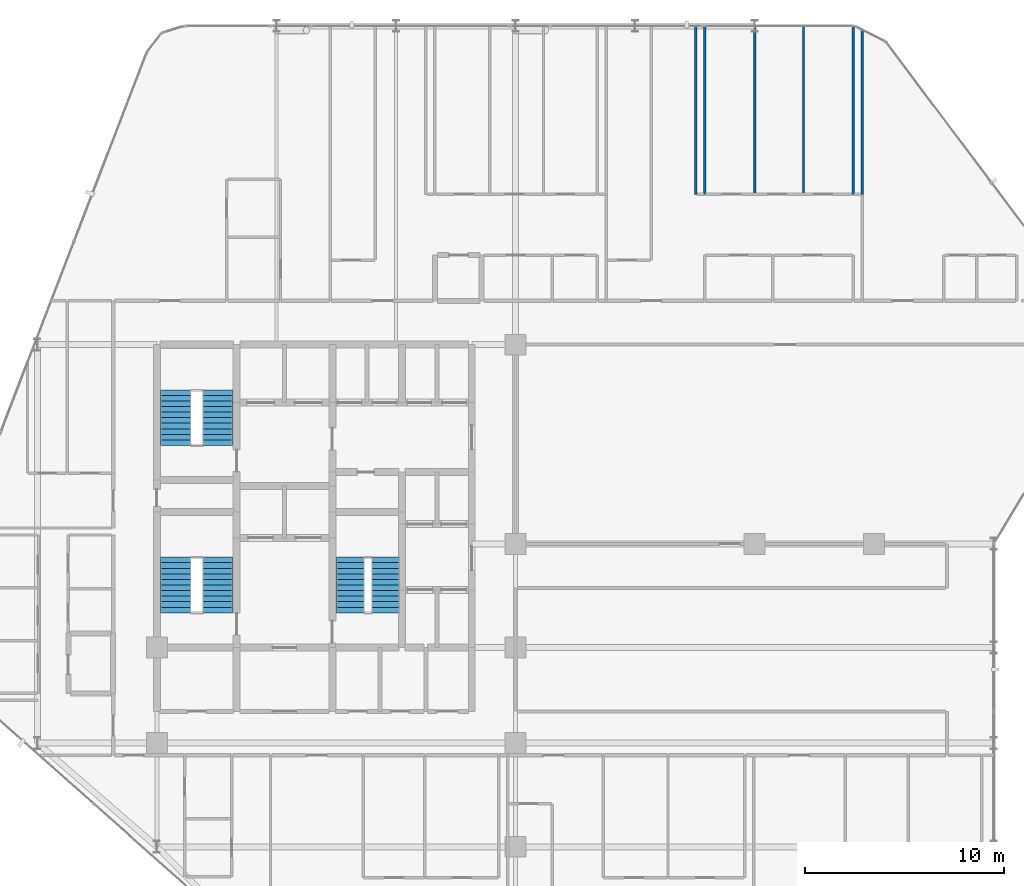
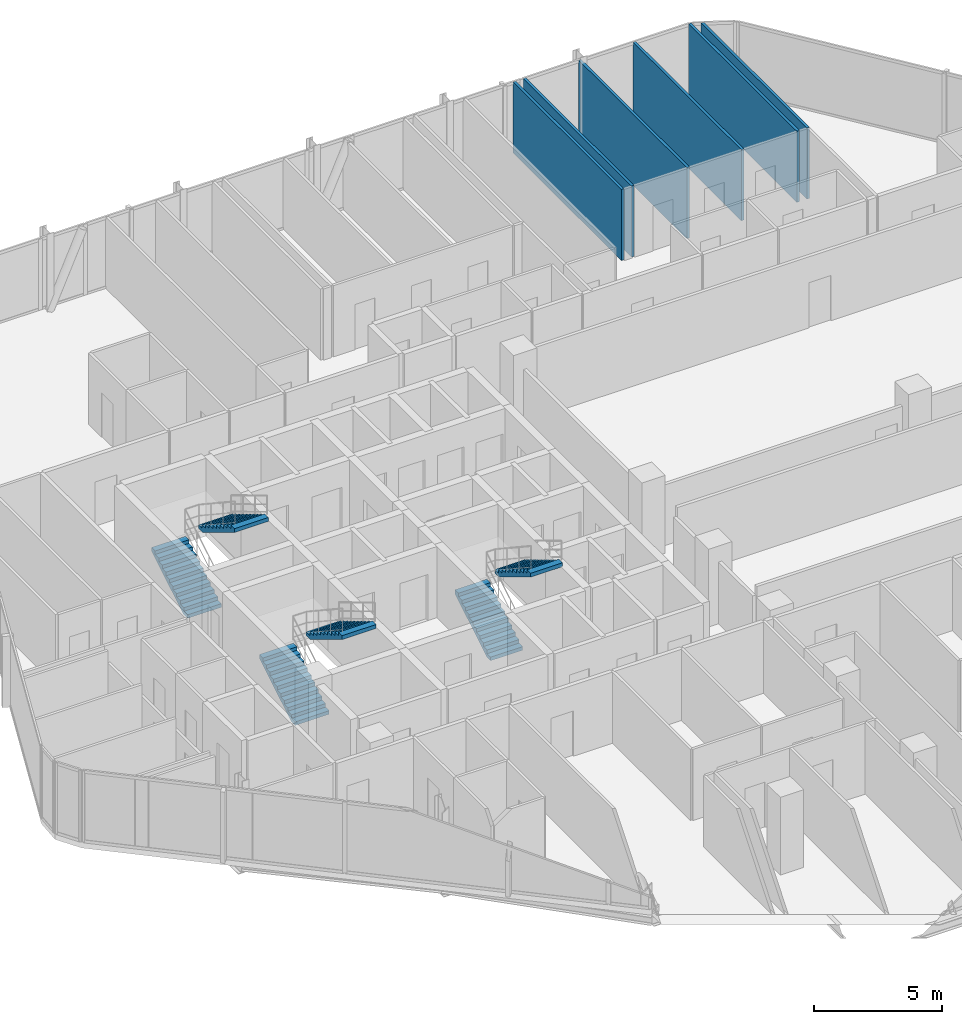
# One storey, part 28 of 29: 6 stair flights, 6 walls, 3 elements without a shape of their own.
"""IFC4 building model written with IfcOpenShell, lengths in metres."""

from ifc_helpers import new_model, si_unit, direction, frame, frame_2d, origin, place, context, subcontext, project, spatial, polyline, rectangle, outline, extrude, material, layer, layer_set, type_object, element, aggregate, save


model = new_model("IFC4")

# Units and contexts
model_context = context("Model", 3, precision=1e-05, world=origin(), true_north=direction((0.0, 1.0)))
body_context = subcontext(model_context, "Body", "Model", "MODEL_VIEW")
ifc_project = project(units=[si_unit("LENGTHUNIT", "METRE"), si_unit("AREAUNIT", "SQUARE_METRE"), si_unit("VOLUMEUNIT", "CUBIC_METRE"), si_unit("PLANEANGLEUNIT", "RADIAN"), si_unit("MASSUNIT", "GRAM", prefix="KILO")], contexts=[model_context])

# Site, building, storey
site_placement = place(None, origin())
site = spatial("IfcSite", under=ifc_project, at=site_placement, CompositionType="ELEMENT")
building_placement = place(site_placement, origin())
building = spatial("IfcBuilding", under=site, at=building_placement, Name="Keshet Zoharim Tower", CompositionType="ELEMENT")
storey_placement = place(building_placement, frame((0.0, 0.0, 102.0)))
storey = spatial("IfcBuildingStorey", under=building, at=storey_placement, Name="L24", CompositionType="ELEMENT", Elevation=102.0)

# Walls
ifc_material_1 = material(Name="Gypsum Plasterboard", Category="gypsum")
ifc_layer = layer(ifc_material_1, 0.1201171875)
ifc_layer_set = layer_set([ifc_layer], Name="Gypsum Plasterboard")
wall_type = type_object("IfcWallType", Name="WL-PART-120", PredefinedType="PARTITIONING", material=ifc_layer_set)
for number, where, z_axis, x_axis, name in (
    (1, (42.050048828125, 45.449951171875, 0.0), (0.0, 0.0, 1.0), (0.0, 1.0, 0.0), "L24 Interior Wall 091"),
    (2, (42.5, 45.449951171875, 0.0), (0.0, 0.0, 1.0), (0.0, 1.0, 0.0), "L24 Interior Wall 094"),
    (3, (45.0, 45.449951171875, 0.0), (0.0, 0.0, 1.0), (0.0, 1.0, 0.0), "L24 Interior Wall 098"),
    (4, (47.449951171875, 45.449951171875, 0.0), (0.0, 0.0, 1.0), (0.0, 1.0, 0.0), "L24 Interior Wall 100"),
    (5, (49.949951171875, 45.449951171875, 0.0), (0.0, 0.0, 1.0), (0.0, 1.0, 0.0), "L24 Interior Wall 105"),
):
    element("IfcWall", number, at=place(storey_placement, frame(where, z_axis=z_axis, x_axis=x_axis)), inside=storey, type_object=wall_type, Name=name, PredefinedType="PARTITIONING", context=body_context, shape_type="SweptSolid", body=[
        extrude(rectangle(XDim=8.43994140625, YDim=0.1201171875, at=frame_2d((4.219970703125, 0.0))), origin(), (0.0, 0.0, 1.0), 3.385009765625),
    ])
wall_placement = place(storey_placement, frame((50.39990234375, 45.449951171875, 0.0), z_axis=(0.0, 0.0, 1.0), x_axis=(0.0, 1.0, 0.0)))
element("IfcWall", 6, at=wall_placement, inside=storey, type_object=wall_type, Name="L24 Interior Wall 107", PredefinedType="PARTITIONING", context=body_context, shape_type="SweptSolid", body=[
    extrude(rectangle(XDim=8.239990234375, YDim=0.1201171875, at=frame_2d((4.1201171875, 0.0))), origin(), (0.0, 0.0, 1.0), 3.385009765625),
])

# Stair, stair flights
ifc_material_2 = material(Name="Concrete C50/60", Category="concrete")
stair_type = type_object("IfcStairType", Name="STR-EXIT-135", PredefinedType="HALF_TURN_STAIR", material=ifc_material_2)
stair_1_placement = place(storey_placement, origin())
stair_1 = element("IfcStair", 7, at=stair_1_placement, inside=storey, type_object=stair_type, Name="L24 Enclosed Exit Stair ST-01", PredefinedType="HALF_TURN_STAIR")
stair_flight_type_1 = type_object("IfcStairFlightType", Name="FLT-PRE-135", PredefinedType="STRAIGHT", material=ifc_material_2)
stair_flight_1_placement = place(storey_placement, frame((15.945068359375, 24.43994140625, 0.0), z_axis=(0.0, 0.0, 1.0), x_axis=(0.0, 1.0, 0.0)))
stair_flight_1 = element("IfcStairFlight", 8, at=stair_flight_1_placement, type_object=stair_flight_type_1, Name="ST-01 flight 1", NumberOfRisers=11, NumberOfTreads=10, PredefinedType="STRAIGHT", RiserHeight=0.168182, TreadLength=0.28, context=body_context, shape_type="SweptSolid", body=[
    extrude(outline(polyline([(0.0, 0.0), (0.0, 0.168212890625), (0.280029296875, 0.168212890625), (0.280029296875, 0.33642578125), (0.56005859375, 0.33642578125), (0.56005859375, 0.504638671875), (0.840087890625, 0.504638671875), (0.840087890625, 0.672607421875), (1.1201171875, 0.672607421875), (1.1201171875, 0.8408203125), (1.39990234375, 0.8408203125), (1.39990234375, 1.009033203125), (1.679931640625, 1.009033203125), (1.679931640625, 1.17724609375), (1.9599609375, 1.17724609375), (1.9599609375, 1.345458984375), (2.239990234375, 1.345458984375), (2.239990234375, 1.513671875), (2.52001953125, 1.513671875), (2.52001953125, 1.681884765625), (2.800048828125, 1.681884765625), (2.800048828125, 1.85009765625), (2.800048828125, 1.495361328125), (0.310546875, 0.0), (0.0, 0.0)])), frame((0.0, 0.76513671875, 0.0), z_axis=(0.0, -1.0, 0.0), x_axis=(1.0, 0.0, 0.0)), (0.0, 0.0, 1.0), 1.530029296875),
])
stair_flight_2_placement = place(storey_placement, frame((18.054931640625, 27.239990234375, 1.85009765625), z_axis=(0.0, 0.0, 1.0), x_axis=(0.0, -1.0, 0.0)))
stair_flight_2 = element("IfcStairFlight", 9, at=stair_flight_2_placement, type_object=stair_flight_type_1, Name="ST-01 flight 2", NumberOfRisers=11, NumberOfTreads=10, PredefinedType="STRAIGHT", RiserHeight=0.168182, TreadLength=0.28, context=body_context, shape_type="SweptSolid", body=[
    extrude(outline(polyline([(0.0, 0.0), (0.0, 0.168212890625), (0.280029296875, 0.168212890625), (0.280029296875, 0.33642578125), (0.56005859375, 0.33642578125), (0.56005859375, 0.504638671875), (0.840087890625, 0.504638671875), (0.840087890625, 0.672607421875), (1.1201171875, 0.672607421875), (1.1201171875, 0.8408203125), (1.39990234375, 0.8408203125), (1.39990234375, 1.009033203125), (1.679931640625, 1.009033203125), (1.679931640625, 1.17724609375), (1.9599609375, 1.17724609375), (1.9599609375, 1.345458984375), (2.239990234375, 1.345458984375), (2.239990234375, 1.513671875), (2.52001953125, 1.513671875), (2.52001953125, 1.681884765625), (2.800048828125, 1.681884765625), (2.800048828125, 1.85009765625), (2.800048828125, 1.495361328125), (0.310546875, 0.0), (0.0, 0.0)])), frame((0.0, 0.76513671875, 0.0), z_axis=(0.0, -1.0, 0.0), x_axis=(1.0, 0.0, 0.0)), (0.0, 0.0, 1.0), 1.530029296875),
])
aggregate(stair_1, [stair_flight_1, stair_flight_2])

stair_2_placement = place(storey_placement, origin())
stair_2 = element("IfcStair", 10, at=stair_2_placement, inside=storey, type_object=stair_type, Name="L24 Enclosed Exit Stair ST-02", PredefinedType="HALF_TURN_STAIR")
stair_flight_3_placement = place(storey_placement, frame((15.945068359375, 32.840087890625, 0.0), z_axis=(0.0, 0.0, 1.0), x_axis=(0.0, 1.0, 0.0)))
stair_flight_3 = element("IfcStairFlight", 11, at=stair_flight_3_placement, type_object=stair_flight_type_1, Name="ST-02 flight 1", NumberOfRisers=11, NumberOfTreads=10, PredefinedType="STRAIGHT", RiserHeight=0.168182, TreadLength=0.28, context=body_context, shape_type="SweptSolid", body=[
    extrude(outline(polyline([(0.0, 0.0), (0.0, 0.168212890625), (0.280029296875, 0.168212890625), (0.280029296875, 0.33642578125), (0.56005859375, 0.33642578125), (0.56005859375, 0.504638671875), (0.840087890625, 0.504638671875), (0.840087890625, 0.672607421875), (1.1201171875, 0.672607421875), (1.1201171875, 0.8408203125), (1.39990234375, 0.8408203125), (1.39990234375, 1.009033203125), (1.679931640625, 1.009033203125), (1.679931640625, 1.17724609375), (1.9599609375, 1.17724609375), (1.9599609375, 1.345458984375), (2.239990234375, 1.345458984375), (2.239990234375, 1.513671875), (2.52001953125, 1.513671875), (2.52001953125, 1.681884765625), (2.800048828125, 1.681884765625), (2.800048828125, 1.85009765625), (2.800048828125, 1.495361328125), (0.310546875, 0.0), (0.0, 0.0)])), frame((0.0, 0.76513671875, 0.0), z_axis=(0.0, -1.0, 0.0), x_axis=(1.0, 0.0, 0.0)), (0.0, 0.0, 1.0), 1.530029296875),
])
stair_flight_4_placement = place(storey_placement, frame((18.054931640625, 35.639892578125, 1.85009765625), z_axis=(0.0, 0.0, 1.0), x_axis=(0.0, -1.0, 0.0)))
stair_flight_4 = element("IfcStairFlight", 12, at=stair_flight_4_placement, type_object=stair_flight_type_1, Name="ST-02 flight 2", NumberOfRisers=11, NumberOfTreads=10, PredefinedType="STRAIGHT", RiserHeight=0.168182, TreadLength=0.28, context=body_context, shape_type="SweptSolid", body=[
    extrude(outline(polyline([(0.0, 0.0), (0.0, 0.168212890625), (0.280029296875, 0.168212890625), (0.280029296875, 0.33642578125), (0.56005859375, 0.33642578125), (0.56005859375, 0.504638671875), (0.840087890625, 0.504638671875), (0.840087890625, 0.672607421875), (1.1201171875, 0.672607421875), (1.1201171875, 0.8408203125), (1.39990234375, 0.8408203125), (1.39990234375, 1.009033203125), (1.679931640625, 1.009033203125), (1.679931640625, 1.17724609375), (1.9599609375, 1.17724609375), (1.9599609375, 1.345458984375), (2.239990234375, 1.345458984375), (2.239990234375, 1.513671875), (2.52001953125, 1.513671875), (2.52001953125, 1.681884765625), (2.800048828125, 1.681884765625), (2.800048828125, 1.85009765625), (2.800048828125, 1.495361328125), (0.310546875, 0.0), (0.0, 0.0)])), frame((0.0, 0.76513671875, 0.0), z_axis=(0.0, -1.0, 0.0), x_axis=(1.0, 0.0, 0.0)), (0.0, 0.0, 1.0), 1.530029296875),
])
aggregate(stair_2, [stair_flight_3, stair_flight_4])

stair_3_placement = place(storey_placement, origin())
stair_3 = element("IfcStair", 13, at=stair_3_placement, inside=storey, type_object=stair_type, Name="L24 Enclosed Exit Stair ST-03", PredefinedType="HALF_TURN_STAIR")
stair_flight_type_2 = type_object("IfcStairFlightType", Name="FLT-PRE-144", PredefinedType="STRAIGHT", material=ifc_material_2)
stair_flight_5_placement = place(storey_placement, frame((24.699951171875, 24.43994140625, 0.0), z_axis=(0.0, 0.0, 1.0), x_axis=(0.0, 1.0, 0.0)))
stair_flight_5 = element("IfcStairFlight", 14, at=stair_flight_5_placement, type_object=stair_flight_type_2, Name="ST-03 flight 1", NumberOfRisers=11, NumberOfTreads=10, PredefinedType="STRAIGHT", RiserHeight=0.168182, TreadLength=0.28, context=body_context, shape_type="SweptSolid", body=[
    extrude(outline(polyline([(0.0, 0.0), (0.0, 0.168212890625), (0.280029296875, 0.168212890625), (0.280029296875, 0.33642578125), (0.56005859375, 0.33642578125), (0.56005859375, 0.504638671875), (0.840087890625, 0.504638671875), (0.840087890625, 0.672607421875), (1.1201171875, 0.672607421875), (1.1201171875, 0.8408203125), (1.39990234375, 0.8408203125), (1.39990234375, 1.009033203125), (1.679931640625, 1.009033203125), (1.679931640625, 1.17724609375), (1.9599609375, 1.17724609375), (1.9599609375, 1.345458984375), (2.239990234375, 1.345458984375), (2.239990234375, 1.513671875), (2.52001953125, 1.513671875), (2.52001953125, 1.681884765625), (2.800048828125, 1.681884765625), (2.800048828125, 1.85009765625), (2.800048828125, 1.495361328125), (0.310546875, 0.0), (0.0, 0.0)])), frame((0.0, 0.719970703125, 0.0), z_axis=(0.0, -1.0, 0.0), x_axis=(1.0, 0.0, 0.0)), (0.0, 0.0, 1.0), 1.43994140625),
])
stair_flight_6_placement = place(storey_placement, frame((26.5, 27.239990234375, 1.85009765625), z_axis=(0.0, 0.0, 1.0), x_axis=(0.0, -1.0, 0.0)))
stair_flight_6 = element("IfcStairFlight", 15, at=stair_flight_6_placement, type_object=stair_flight_type_2, Name="ST-03 flight 2", NumberOfRisers=11, NumberOfTreads=10, PredefinedType="STRAIGHT", RiserHeight=0.168182, TreadLength=0.28, context=body_context, shape_type="SweptSolid", body=[
    extrude(outline(polyline([(0.0, 0.0), (0.0, 0.168212890625), (0.280029296875, 0.168212890625), (0.280029296875, 0.33642578125), (0.56005859375, 0.33642578125), (0.56005859375, 0.504638671875), (0.840087890625, 0.504638671875), (0.840087890625, 0.672607421875), (1.1201171875, 0.672607421875), (1.1201171875, 0.8408203125), (1.39990234375, 0.8408203125), (1.39990234375, 1.009033203125), (1.679931640625, 1.009033203125), (1.679931640625, 1.17724609375), (1.9599609375, 1.17724609375), (1.9599609375, 1.345458984375), (2.239990234375, 1.345458984375), (2.239990234375, 1.513671875), (2.52001953125, 1.513671875), (2.52001953125, 1.681884765625), (2.800048828125, 1.681884765625), (2.800048828125, 1.85009765625), (2.800048828125, 1.495361328125), (0.310546875, 0.0), (0.0, 0.0)])), frame((0.0, 0.719970703125, 0.0), z_axis=(0.0, -1.0, 0.0), x_axis=(1.0, 0.0, 0.0)), (0.0, 0.0, 1.0), 1.43994140625),
])
aggregate(stair_3, [stair_flight_5, stair_flight_6])

save(model, "model.ifc")
